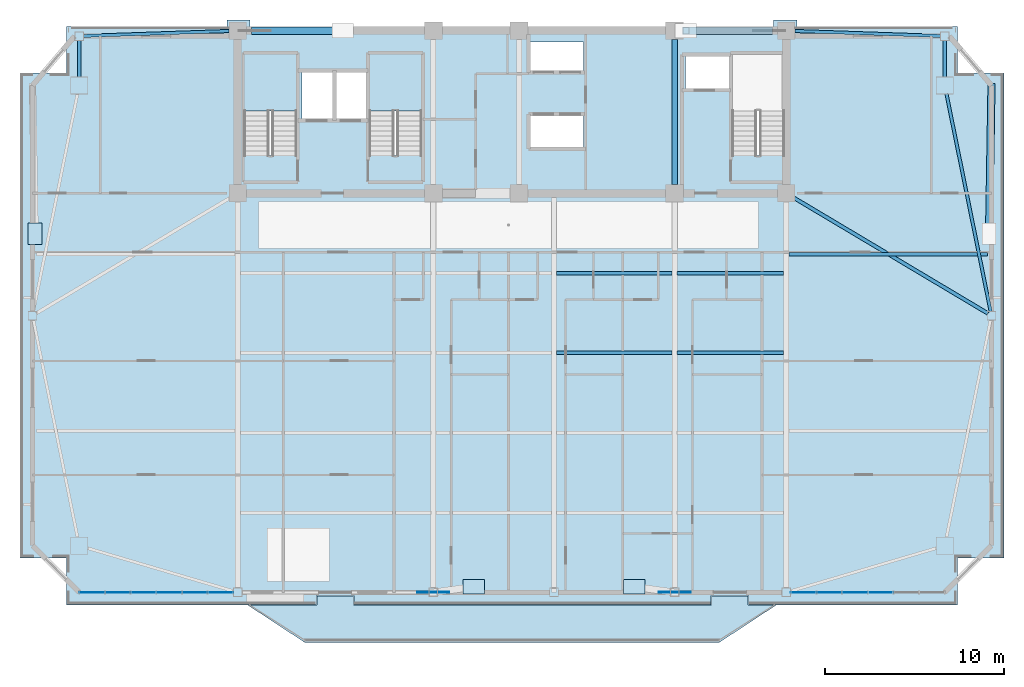
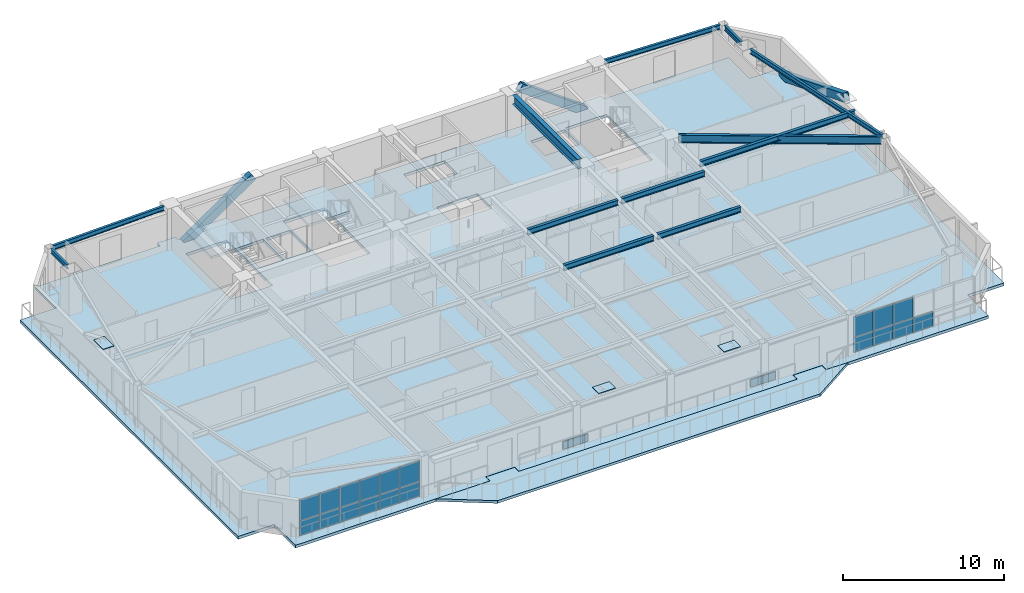
# One storey, part 7 of 17: 24 plates, 12 beams, 4 slabs, 3 members, 4 elements without a shape of their own.
"""IFC4 building model written with IfcOpenShell, lengths in metres."""

from ifc_helpers import new_model, si_unit, direction, frame, origin, origin_2d, place, context, subcontext, project, spatial, polyline, rectangle, hollow_rectangle, i_section, outline, extrude, source, transform, mapped, material, layer, layer_set, material_profile, profile_set, type_object, element, aggregate, save


model = new_model("IFC4")

# Units and contexts
model_context = context("Model", 3, precision=1e-05, world=origin(), true_north=direction((0.0, 1.0)))
body_context = subcontext(model_context, "Body", "Model", "MODEL_VIEW")
ifc_project = project(units=[si_unit("LENGTHUNIT", "METRE"), si_unit("AREAUNIT", "SQUARE_METRE"), si_unit("VOLUMEUNIT", "CUBIC_METRE"), si_unit("PLANEANGLEUNIT", "RADIAN"), si_unit("MASSUNIT", "GRAM", prefix="KILO")], contexts=[model_context])

# Site, building, storey
site_placement = place(None, origin())
site = spatial("IfcSite", under=ifc_project, at=site_placement, CompositionType="ELEMENT")
building_placement = place(site_placement, origin())
building = spatial("IfcBuilding", under=site, at=building_placement, Name="Giltprow Tower", CompositionType="ELEMENT")
storey_placement = place(building_placement, frame((0.0, 0.0, 248.5)))
storey = spatial("IfcBuildingStorey", under=building, at=storey_placement, Name="L63", CompositionType="ELEMENT", Elevation=248.5)

# Beams
ifc_material_1 = material(Name="Structural steel Q355B", Category="steel")
ifc_material_profile_1 = material_profile(ifc_material_1, i_section(OverallWidth=0.300048828125, OverallDepth=0.699951171875, WebThickness=0.012939453125, FlangeThickness=0.02392578125, at=origin_2d()), Name="HN 700x300x13x24")
ifc_profile_set_1 = profile_set([ifc_material_profile_1], Name="Structural steel Q355B")
beam_type_1 = type_object("IfcBeamType", Name="BM-GIRD-HN700", PredefinedType="BEAM", material=ifc_profile_set_1)
shared_shape_1 = source(origin(), body_context, "Body", "SweptSolid", [
    extrude(i_section(OverallWidth=0.300048828125, OverallDepth=0.699951171875, WebThickness=0.012939453125, FlangeThickness=0.02392578125, at=origin_2d()), origin(), (0.0, 0.0, 1.0), 8.1298828125),
])
beam_1_placement = place(storey_placement, frame((44.300048828125, 37.93505859375, 2.8349609375), z_axis=(0.0, 1.0, 0.0), x_axis=(-1.0, 0.0, 0.0)))
element("IfcBeam", 1, at=beam_1_placement, inside=storey, type_object=beam_type_1, Name="L63 Core Tie Girder M3", PredefinedType="BEAM", context=body_context, shape_type="MappedRepresentation", body=[
    mapped(shared_shape_1, transform((0.0, 0.0, 0.0), x_axis=(1.0, 0.0, 0.0), y_axis=(0.0, 1.0, 0.0), z_axis=(0.0, 0.0, 1.0), scale=1.0)),
])
ifc_material_profile_2 = material_profile(ifc_material_1, i_section(OverallWidth=0.199951171875, OverallDepth=0.39990234375, WebThickness=0.008056640625, FlangeThickness=0.012939453125, at=origin_2d()), Name="HN 400x200x8x13")
ifc_profile_set_2 = profile_set([ifc_material_profile_2], Name="Structural steel Q355B")
beam_type_2 = type_object("IfcBeamType", Name="BM-JOIST-HN400", PredefinedType="JOIST", material=ifc_profile_set_2)
shared_shape_2 = source(origin(), body_context, "Body", "SweptSolid", [
    extrude(i_section(OverallWidth=0.199951171875, OverallDepth=0.39990234375, WebThickness=0.008056640625, FlangeThickness=0.012939453125, at=origin_2d()), origin(), (0.0, 0.0, 1.0), 6.4599609375),
])
for number, where, z_axis, x_axis, name in (
    (2, (37.695068359375, 28.514892578125, 2.985107421875), (1.0, 0.0, 0.0), (0.0, 1.0, 0.0), "L63 Composite Floor Joist 3-3"),
    (3, (37.695068359375, 32.98291015625, 2.985107421875), (1.0, 0.0, 0.0), (0.0, 1.0, 0.0), "L63 Composite Floor Joist 4-3"),
):
    element("IfcBeam", number, at=place(storey_placement, frame(where, z_axis=z_axis, x_axis=x_axis)), inside=storey, type_object=beam_type_2, Name=name, PredefinedType="JOIST", context=body_context, shape_type="MappedRepresentation", body=[
        mapped(shared_shape_2, transform((0.0, 0.0, 0.0), x_axis=(1.0, 0.0, 0.0), y_axis=(0.0, 1.0, 0.0), z_axis=(0.0, 0.0, 1.0), scale=1.0)),
    ])
shared_shape_3 = source(origin(), body_context, "Body", "SweptSolid", [
    extrude(i_section(OverallWidth=0.199951171875, OverallDepth=0.39990234375, WebThickness=0.008056640625, FlangeThickness=0.012939453125, at=origin_2d()), origin(), (0.0, 0.0, 1.0), 5.9599609375),
])
for number, where, z_axis, x_axis, name in (
    (4, (44.445068359375, 28.514892578125, 2.985107421875), (1.0, 0.0, 0.0), (0.0, 1.0, 0.0), "L63 Composite Floor Joist 3-4"),
    (5, (44.445068359375, 32.98291015625, 2.985107421875), (1.0, 0.0, 0.0), (0.0, 1.0, 0.0), "L63 Composite Floor Joist 4-4"),
):
    element("IfcBeam", number, at=place(storey_placement, frame(where, z_axis=z_axis, x_axis=x_axis)), inside=storey, type_object=beam_type_2, Name=name, PredefinedType="JOIST", context=body_context, shape_type="MappedRepresentation", body=[
        mapped(shared_shape_3, transform((0.0, 0.0, 0.0), x_axis=(1.0, 0.0, 0.0), y_axis=(0.0, 1.0, 0.0), z_axis=(0.0, 0.0, 1.0), scale=1.0)),
    ])
ifc_material_profile_3 = material_profile(ifc_material_1, i_section(OverallWidth=0.175048828125, OverallDepth=0.35009765625, WebThickness=0.007080078125, FlangeThickness=0.010986328125, at=origin_2d()), Name="HN 350x175x7x11")
ifc_profile_set_3 = profile_set([ifc_material_profile_3], Name="Structural steel Q355B")
beam_type_3 = type_object("IfcBeamType", Name="BM-SPAN-HN350", PredefinedType="SPANDREL", material=ifc_profile_set_3)
shared_shape_4 = source(origin(), body_context, "Body", "SweptSolid", [
    extrude(i_section(OverallWidth=0.175048828125, OverallDepth=0.35009765625, WebThickness=0.007080078125, FlangeThickness=0.010986328125, at=origin_2d()), origin(), (0.0, 0.0, 1.0), 12.42138671875),
])
beam_2_placement = place(storey_placement, frame((61.989990234375, 30.8369140625, 3.010009765625), z_axis=(-0.198927494824, 0.980014210001, 0.0), x_axis=(-0.980014210001, -0.198927494824, 0.0)))
element("IfcBeam", 6, at=beam_2_placement, inside=storey, type_object=beam_type_3, Name="L63 Perimeter Spandrel Beam E_MID-MC_NE", PredefinedType="SPANDREL", context=body_context, shape_type="MappedRepresentation", body=[
    mapped(shared_shape_4, transform((0.0, 0.0, 0.0), x_axis=(1.0, 0.0, 0.0), y_axis=(0.0, 1.0, 0.0), z_axis=(0.0, 0.0, 1.0), scale=1.0)),
])
shared_shape_5 = source(origin(), body_context, "Body", "SweptSolid", [
    extrude(i_section(OverallWidth=0.175048828125, OverallDepth=0.35009765625, WebThickness=0.007080078125, FlangeThickness=0.010986328125, at=origin_2d()), origin(), (0.0, 0.0, 1.0), 2.044921875),
])
for number, where, z_axis, x_axis, name in (
    (7, (59.422119140625, 43.969970703125, 3.010009765625), (0.0, 1.0, 0.0), (-1.0, 0.0, 0.0), "L63 Perimeter Spandrel Beam MC_NE-N_E"),
    (8, (10.97900390625, 46.014892578125, 3.010009765625), (0.0, -1.0, 0.0), (1.0, 0.0, 0.0), "L63 Perimeter Spandrel Beam N_W-MC_NW"),
):
    element("IfcBeam", number, at=place(storey_placement, frame(where, z_axis=z_axis, x_axis=x_axis)), inside=storey, type_object=beam_type_3, Name=name, PredefinedType="SPANDREL", context=body_context, shape_type="MappedRepresentation", body=[
        mapped(shared_shape_5, transform((0.0, 0.0, 0.0), x_axis=(1.0, 0.0, 0.0), y_axis=(0.0, 1.0, 0.0), z_axis=(0.0, 0.0, 1.0), scale=1.0)),
    ])
shared_shape_6 = source(origin(), body_context, "Body", "SweptSolid", [
    extrude(i_section(OverallWidth=0.175048828125, OverallDepth=0.35009765625, WebThickness=0.007080078125, FlangeThickness=0.010986328125, at=origin_2d()), origin(), (0.0, 0.0, 1.0), 8.155517578125),
])
beam_3_placement = place(storey_placement, frame((11.214111328125, 46.258056640625, 3.010009765625), z_axis=(0.999427698127, 0.033827152066, 0.0), x_axis=(-0.033827152066, 0.999427698127, 0.0)))
element("IfcBeam", 9, at=beam_3_placement, inside=storey, type_object=beam_type_3, Name="L63 North Wing Spandrel W", PredefinedType="SPANDREL", context=body_context, shape_type="MappedRepresentation", body=[
    mapped(shared_shape_6, transform((0.0, 0.0, 0.0), x_axis=(1.0, 0.0, 0.0), y_axis=(0.0, 1.0, 0.0), z_axis=(0.0, 0.0, 1.0), scale=1.0)),
])
shared_shape_7 = source(origin(), body_context, "Body", "SweptSolid", [
    extrude(i_section(OverallWidth=0.175048828125, OverallDepth=0.35009765625, WebThickness=0.007080078125, FlangeThickness=0.010986328125, at=origin_2d()), origin(), (0.0, 0.0, 1.0), 8.15673828125),
])
beam_4_placement = place(storey_placement, frame((51.034912109375, 46.533935546875, 3.010009765625), z_axis=(0.999427869361, -0.033822092551, 0.0), x_axis=(0.033822092551, 0.999427869361, 0.0)))
element("IfcBeam", 10, at=beam_4_placement, inside=storey, type_object=beam_type_3, Name="L63 North Wing Spandrel E", PredefinedType="SPANDREL", context=body_context, shape_type="MappedRepresentation", body=[
    mapped(shared_shape_7, transform((0.0, 0.0, 0.0), x_axis=(1.0, 0.0, 0.0), y_axis=(0.0, 1.0, 0.0), z_axis=(0.0, 0.0, 1.0), scale=1.0)),
])
ifc_material_profile_4 = material_profile(ifc_material_1, i_section(OverallWidth=0.199951171875, OverallDepth=0.60009765625, WebThickness=0.010986328125, FlangeThickness=0.01708984375, at=origin_2d()), Name="HN 600x200x11x17")
ifc_profile_set_4 = profile_set([ifc_material_profile_4], Name="Structural steel Q355B")
beam_type_4 = type_object("IfcBeamType", Name="BM-GIRD-HN600", PredefinedType="BEAM", material=ifc_profile_set_4)
shared_shape_8 = source(origin(), body_context, "Body", "SweptSolid", [
    extrude(i_section(OverallWidth=0.199951171875, OverallDepth=0.60009765625, WebThickness=0.010986328125, FlangeThickness=0.01708984375, at=origin_2d()), origin(), (0.0, 0.0, 1.0), 12.650390625),
])
beam_5_placement = place(storey_placement, frame((61.8349609375, 30.72705078125, 2.885009765625), z_axis=(-0.859089447214, 0.511825479716, 0.0), x_axis=(-0.511825479716, -0.859089447214, 0.0)))
element("IfcBeam", 11, at=beam_5_placement, inside=storey, type_object=beam_type_4, Name="L63 East Wing Primary Girder", PredefinedType="BEAM", context=body_context, shape_type="MappedRepresentation", body=[
    mapped(shared_shape_8, transform((0.0, 0.0, 0.0), x_axis=(1.0, 0.0, 0.0), y_axis=(0.0, 1.0, 0.0), z_axis=(0.0, 0.0, 1.0), scale=1.0)),
])
shared_shape_9 = source(origin(), body_context, "Body", "SweptSolid", [
    extrude(i_section(OverallWidth=0.199951171875, OverallDepth=0.39990234375, WebThickness=0.008056640625, FlangeThickness=0.012939453125, at=origin_2d()), origin(), (0.0, 0.0, 1.0), 11.121826171875),
])
beam_6_placement = place(storey_placement, frame((50.695068359375, 34.029052734375, 2.985107421875), z_axis=(1.0, 0.0, 0.0), x_axis=(0.0, 1.0, 0.0)))
element("IfcBeam", 12, at=beam_6_placement, inside=storey, type_object=beam_type_2, Name="L63 East Wing Floor Joist 2", PredefinedType="JOIST", context=body_context, shape_type="MappedRepresentation", body=[
    mapped(shared_shape_9, transform((0.0, 0.0, 0.0), x_axis=(1.0, 0.0, 0.0), y_axis=(0.0, 1.0, 0.0), z_axis=(0.0, 0.0, 1.0), scale=1.0)),
])

# Members
ifc_material_2 = material(Name="Structural steel Q420GJC", Category="steel")
ifc_material_profile_5 = material_profile(ifc_material_2, hollow_rectangle(XDim=0.39990234375, YDim=0.60009765625, WallThickness=0.028076171875, at=origin_2d()), Name="RHS 600x400x28")
ifc_profile_set_5 = profile_set([ifc_material_profile_5], Name="Structural steel Q420GJC")
member_type = type_object("IfcMemberType", Name="MBR-MEGA-RHS600", PredefinedType="BRACE", material=ifc_profile_set_5)
shared_shape_10 = source(origin(), body_context, "Body", "SweptSolid", [
    extrude(hollow_rectangle(XDim=0.39990234375, YDim=0.60009765625, WallThickness=0.028076171875, at=origin_2d()), origin(), (0.0, 0.0, 1.0), 5.990966796875),
])
member_1_placement = place(storey_placement, frame((20.800048828125, 46.550048828125, -0.139892578125), z_axis=(0.823374311816, 0.0, 0.56749867193), x_axis=(0.0, 1.0, 0.0)))
element("IfcMember", 13, at=member_1_placement, inside=storey, type_object=member_type, Name="L63 Chevron Mega-Brace N-L", PredefinedType="BRACE", context=body_context, shape_type="MappedRepresentation", body=[
    mapped(shared_shape_10, transform((0.0, 0.0, 0.0), x_axis=(1.0, 0.0, 0.0), y_axis=(0.0, 1.0, 0.0), z_axis=(0.0, 0.0, 1.0), scale=1.0)),
])
shared_shape_11 = source(origin(), body_context, "Body", "SweptSolid", [
    extrude(hollow_rectangle(XDim=0.39990234375, YDim=0.60009765625, WallThickness=0.028076171875, at=origin_2d()), origin(), (0.0, 0.0, 1.0), 5.774169921875),
])
member_2_placement = place(storey_placement, frame((49.60009765625, 46.550048828125, -0.139892578125), z_axis=(-0.808264093398, 0.0, 0.588820138348), x_axis=(0.0, -1.0, 0.0)))
element("IfcMember", 14, at=member_2_placement, inside=storey, type_object=member_type, Name="L63 Chevron Mega-Brace N-R", PredefinedType="BRACE", context=body_context, shape_type="MappedRepresentation", body=[
    mapped(shared_shape_11, transform((0.0, 0.0, 0.0), x_axis=(1.0, 0.0, 0.0), y_axis=(0.0, 1.0, 0.0), z_axis=(0.0, 0.0, 1.0), scale=1.0)),
])
shared_shape_12 = source(origin(), body_context, "Body", "SweptSolid", [
    extrude(hollow_rectangle(XDim=0.39990234375, YDim=0.60009765625, WallThickness=0.028076171875, at=origin_2d()), origin(), (0.0, 0.0, 1.0), 8.961181640625),
])
member_3_placement = place(storey_placement, frame((62.037109375, 43.485107421875, 0.0), z_axis=(-0.015420203885, -0.925103256387, 0.379402401592), x_axis=(0.999861107329, -0.016666314841, 0.0)))
element("IfcMember", 15, at=member_3_placement, inside=storey, type_object=member_type, Name="L63 Chevron Mega-Brace E-D", PredefinedType="BRACE", context=body_context, shape_type="MappedRepresentation", body=[
    mapped(shared_shape_12, transform((0.0, 0.0, 0.0), x_axis=(1.0, 0.0, 0.0), y_axis=(0.0, 1.0, 0.0), z_axis=(0.0, 0.0, 1.0), scale=1.0)),
])

# Slabs
ifc_material_3 = material(Name="Concrete C40", Category="concrete")
ifc_layer_1 = layer(ifc_material_3, 0.199951171875, Name="Concrete C40")
ifc_layer_set_1 = layer_set([ifc_layer_1], Name="Concrete C40")
slab_type_1 = type_object("IfcSlabType", Name="SLB-BALC-BRONZE-200", PredefinedType="FLOOR", material=ifc_layer_set_1)
slab_1_placement = place(storey_placement, frame((0.0, 0.0, -0.199951171875)))
element("IfcSlab", 16, at=slab_1_placement, inside=storey, type_object=slab_type_1, Name="L63 Bronze Prow Waterfront Balcony Slab", PredefinedType="FLOOR", context=body_context, shape_type="SweptSolid", body=[
    extrude(outline(polyline([(50.0, 14.4130859375), (46.800048828125, 12.31298828125), (23.60009765625, 12.31298828125), (20.39990234375, 14.4130859375), (24.280029296875, 14.4130859375), (24.280029296875, 14.9130859375), (26.320068359375, 14.9130859375), (26.320068359375, 14.4130859375), (46.3798828125, 14.4130859375), (46.3798828125, 14.9130859375), (48.419921875, 14.9130859375), (48.419921875, 14.4130859375), (50.0, 14.4130859375)])), origin(), (0.0, 0.0, 1.0), 0.199951171875),
])
ifc_layer_2 = layer(ifc_material_3, 0.215087890625, Name="Concrete C40")
ifc_layer_set_2 = layer_set([ifc_layer_2], Name="Concrete C40")
slab_type_2 = type_object("IfcSlabType", Name="SLB-RES-215", PredefinedType="FLOOR", material=ifc_layer_set_2)
slab_2_placement = place(storey_placement, frame((0.0, 0.0, -0.215087890625)))
element("IfcSlab", 17, at=slab_2_placement, inside=storey, type_object=slab_type_2, Name="L63 Structural Composite Floor Slab", PredefinedType="FLOOR", context=body_context, shape_type="SweptSolid", body=[
    extrude(outline(polyline([(62.737060546875, 44.18408203125), (62.737060546875, 17.028076171875), (60.1220703125, 17.028076171875), (60.1220703125, 14.4130859375), (48.449951171875, 14.4130859375), (48.449951171875, 14.93310546875), (46.35009765625, 14.93310546875), (46.35009765625, 14.4130859375), (26.35009765625, 14.4130859375), (26.35009765625, 14.93310546875), (24.25, 14.93310546875), (24.25, 14.4130859375), (10.279052734375, 14.4130859375), (10.279052734375, 17.028076171875), (7.6640625, 17.028076171875), (7.6640625, 44.18408203125), (10.279052734375, 44.18408203125), (10.279052734375, 46.800048828125), (19.25, 46.800048828125), (19.25, 47.14990234375), (20.550048828125, 47.14990234375), (20.550048828125, 46.800048828125), (49.85009765625, 46.800048828125), (49.85009765625, 47.14990234375), (51.14990234375, 47.14990234375), (51.14990234375, 46.800048828125), (60.1220703125, 46.800048828125), (60.1220703125, 44.18408203125), (62.737060546875, 44.18408203125)]), holes=[polyline([(39.18994140625, 41.800048828125), (36.239990234375, 41.800048828125), (36.239990234375, 40.0), (39.18994140625, 40.0), (39.18994140625, 41.800048828125)]), polyline([(23.159912109375, 39.570068359375), (23.159912109375, 45.25), (20.199951171875, 45.25), (20.199951171875, 39.570068359375), (23.159912109375, 39.570068359375)]), polyline([(30.159912109375, 39.570068359375), (30.159912109375, 45.25), (27.199951171875, 45.25), (27.199951171875, 39.570068359375), (30.159912109375, 39.570068359375)]), polyline([(50.4599609375, 45.25), (47.5, 45.25), (47.5, 39.570068359375), (50.4599609375, 39.570068359375), (50.4599609375, 45.25)]), polyline([(25.169921875, 44.199951171875), (23.449951171875, 44.199951171875), (23.449951171875, 41.60009765625), (25.169921875, 41.60009765625), (25.169921875, 44.199951171875)]), polyline([(27.10009765625, 44.199951171875), (25.35009765625, 44.199951171875), (25.35009765625, 41.60009765625), (27.10009765625, 41.60009765625), (27.10009765625, 44.199951171875)]), polyline([(47.3798828125, 43.300048828125), (47.3798828125, 45.10009765625), (44.919921875, 45.10009765625), (44.919921875, 43.300048828125), (47.3798828125, 43.300048828125)]), polyline([(39.18994140625, 44.300048828125), (39.18994140625, 45.919921875), (36.239990234375, 45.919921875), (36.239990234375, 44.300048828125), (39.18994140625, 44.300048828125)])]), origin(), (0.0, 0.0, 1.0), 0.215087890625),
])

# Stair, slab
stair_type_1 = type_object("IfcStairType", Name="STR-ST-1", PredefinedType="HALF_TURN_STAIR", material=ifc_material_3)
stair_1_placement = place(storey_placement, origin())
stair_1 = element("IfcStair", 18, at=stair_1_placement, inside=storey, type_object=stair_type_1, Name="L63 Core Exit Stair ST-1", PredefinedType="HALF_TURN_STAIR")
ifc_layer_3 = layer(ifc_material_3, 0.179931640625, Name="Concrete C40")
ifc_layer_set_3 = layer_set([ifc_layer_3], Name="Concrete C40")
slab_type_3 = type_object("IfcSlabType", Name="SLD-ST-1", PredefinedType="LANDING", material=ifc_layer_set_3)
slab_3_placement = place(storey_placement, frame((0.0, 0.0, 1.52001953125)))
slab_3 = element("IfcSlab", 19, at=slab_3_placement, type_object=slab_type_3, Name="ST-1 landing 1", PredefinedType="LANDING", context=body_context, shape_type="SweptSolid", body=[
    extrude(outline(polyline([(23.159912109375, 42.070068359375), (23.159912109375, 45.25), (20.199951171875, 45.25), (20.199951171875, 42.070068359375), (23.159912109375, 42.070068359375)])), origin(), (0.0, 0.0, 1.0), 0.179931640625),
])
aggregate(stair_1, [slab_3])

stair_type_2 = type_object("IfcStairType", Name="STR-ST-2", PredefinedType="HALF_TURN_STAIR", material=ifc_material_3)
stair_2_placement = place(storey_placement, origin())
stair_2 = element("IfcStair", 20, at=stair_2_placement, inside=storey, type_object=stair_type_2, Name="L63 Core Exit Stair ST-2", PredefinedType="HALF_TURN_STAIR")
ifc_layer_4 = layer(ifc_material_3, 0.18798828125, Name="Concrete C40")
ifc_layer_set_4 = layer_set([ifc_layer_4], Name="Concrete C40")
slab_type_4 = type_object("IfcSlabType", Name="SLD-ST-2", PredefinedType="LANDING", material=ifc_layer_set_4)
slab_4_placement = place(storey_placement, frame((0.0, 0.0, 1.511962890625)))
slab_4 = element("IfcSlab", 21, at=slab_4_placement, type_object=slab_type_4, Name="ST-2 landing 1", PredefinedType="LANDING", context=body_context, shape_type="SweptSolid", body=[
    extrude(outline(polyline([(30.159912109375, 42.070068359375), (30.159912109375, 45.25), (27.199951171875, 45.25), (27.199951171875, 42.070068359375), (30.159912109375, 42.070068359375)])), origin(), (0.0, 0.0, 1.0), 0.18798828125),
])
aggregate(stair_2, [slab_4])

# Plates
plate_type_1 = type_object("IfcPlateType", Name="PLT-NODE-MBN1", PredefinedType="USERDEFINED", material=ifc_material_2)
shared_shape_13 = source(origin(), body_context, "Body", "SweptSolid", [
    extrude(rectangle(XDim=1.800048828125, YDim=0.050048828125, at=origin_2d()), origin(), (0.0, 0.0, 1.0), 1.14990234375),
])
for number, where, z_axis, x_axis, name in (
    (22, (30.800048828125, 15.113037109375, -0.574951171875), (0.0, 0.0, 1.0), (1.0, 0.0, 0.0), "Mega-Brace Node L63-S-LA"),
    (23, (44.300048828125, 15.113037109375, -0.574951171875), (0.0, 0.0, 1.0), (1.0, 0.0, 0.0), "Mega-Brace Node L63-S-RA"),
):
    element("IfcPlate", number, at=place(storey_placement, frame(where, z_axis=z_axis, x_axis=x_axis)), inside=storey, type_object=plate_type_1, Name=name, ObjectType="GUSSET", PredefinedType="USERDEFINED", context=body_context, shape_type="MappedRepresentation", body=[
        mapped(shared_shape_13, transform((0.0, 0.0, 0.0), x_axis=(1.0, 0.0, 0.0), y_axis=(0.0, 1.0, 0.0), z_axis=(0.0, 0.0, 1.0), scale=1.0)),
    ])
plate_type_2 = type_object("IfcPlateType", Name="PLT-CAP-SEAL", PredefinedType="USERDEFINED", material=ifc_material_2)
shared_shape_14 = source(origin(), body_context, "Body", "SweptSolid", [
    extrude(rectangle(XDim=1.199951171875, YDim=0.800048828125, at=origin_2d()), origin(), (0.0, 0.0, 1.0), 0.034912109375),
])
for number, where, z_axis, x_axis, name in (
    (24, (33.050048828125, 15.424072265625, 3.38232421875), (0.0, 0.0, 1.0), (1.0, 0.0, 0.0), "Mega-Brace Node L63-S-LB"),
    (25, (42.050048828125, 15.424072265625, 3.38232421875), (0.0, 0.0, 1.0), (1.0, 0.0, 0.0), "Mega-Brace Node L63-S-RB"),
    (26, (8.501953125, 35.195068359375, 3.38232421875), (0.0, 0.0, 1.0), (0.0, 1.0, 0.0), "Mega-Brace Node L63-W-DB"),
):
    element("IfcPlate", number, at=place(storey_placement, frame(where, z_axis=z_axis, x_axis=x_axis)), inside=storey, type_object=plate_type_2, Name=name, ObjectType="SPLICE", PredefinedType="USERDEFINED", context=body_context, shape_type="MappedRepresentation", body=[
        mapped(shared_shape_14, transform((0.0, 0.0, 0.0), x_axis=(1.0, 0.0, 0.0), y_axis=(0.0, 1.0, 0.0), z_axis=(0.0, 0.0, 1.0), scale=1.0)),
    ])

# Curtain wall, plates
ifc_material_4 = material(Name="Anodized bronze", Category="metal")
ifc_layer_5 = layer(ifc_material_4, 0.179931640625, Name="Anodized bronze")
ifc_layer_set_5 = layer_set([ifc_layer_5], Name="Anodized bronze")
curtain_wall_type = type_object("IfcCurtainWallType", Name="CW-RES-SKY", PredefinedType="NOTDEFINED", material=ifc_layer_set_5)
curtain_wall_1_placement = place(storey_placement, origin())
curtain_wall_1 = element("IfcCurtainWall", 27, at=curtain_wall_1_placement, inside=storey, type_object=curtain_wall_type, Name="L63 South Recessed Curtain Wall 1", PredefinedType="NOTDEFINED")
ifc_material_5 = material(Name="Insulated glass", Category="glass")
plate_type_3 = type_object("IfcPlateType", Name="CW-PANEL-IGU-28", PredefinedType="CURTAIN_PANEL", material=ifc_material_5)
shared_shape_15 = source(origin(), body_context, "Body", "SweptSolid", [
    extrude(rectangle(XDim=1.406982421875, YDim=0.028076171875, at=origin_2d()), origin(), (0.0, 0.0, 1.0), 1.114013671875),
])
plate_1_placement = place(storey_placement, frame((11.697021484375, 15.113037109375, 0.05419921875), z_axis=(0.0, 0.0, 1.0), x_axis=(1.0, 0.0, 0.0)))
plate_1 = element("IfcPlate", 28, at=plate_1_placement, type_object=plate_type_3, Name="L63 South Recessed Curtain Wall 1 Glazing Panel 1-1", PredefinedType="CURTAIN_PANEL", context=body_context, shape_type="MappedRepresentation", body=[
    mapped(shared_shape_15, transform((0.0, 0.0, 0.0), x_axis=(1.0, 0.0, 0.0), y_axis=(0.0, 1.0, 0.0), z_axis=(0.0, 0.0, 1.0), scale=1.0)),
])
plate_2_placement = place(storey_placement, frame((13.134033203125, 15.113037109375, 0.05419921875), z_axis=(0.0, 0.0, 1.0), x_axis=(1.0, 0.0, 0.0)))
plate_2 = element("IfcPlate", 29, at=plate_2_placement, type_object=plate_type_3, Name="L63 South Recessed Curtain Wall 1 Glazing Panel 2-1", PredefinedType="CURTAIN_PANEL", context=body_context, shape_type="MappedRepresentation", body=[
    mapped(shared_shape_15, transform((0.0, 0.0, 0.0), x_axis=(1.0, 0.0, 0.0), y_axis=(0.0, 1.0, 0.0), z_axis=(0.0, 0.0, 1.0), scale=1.0)),
])
plate_3_placement = place(storey_placement, frame((14.571044921875, 15.113037109375, 0.05419921875), z_axis=(0.0, 0.0, 1.0), x_axis=(1.0, 0.0, 0.0)))
plate_3 = element("IfcPlate", 30, at=plate_3_placement, type_object=plate_type_3, Name="L63 South Recessed Curtain Wall 1 Glazing Panel 3-1", PredefinedType="CURTAIN_PANEL", context=body_context, shape_type="MappedRepresentation", body=[
    mapped(shared_shape_15, transform((0.0, 0.0, 0.0), x_axis=(1.0, 0.0, 0.0), y_axis=(0.0, 1.0, 0.0), z_axis=(0.0, 0.0, 1.0), scale=1.0)),
])
plate_4_placement = place(storey_placement, frame((16.008056640625, 15.113037109375, 0.05419921875), z_axis=(0.0, 0.0, 1.0), x_axis=(1.0, 0.0, 0.0)))
plate_4 = element("IfcPlate", 31, at=plate_4_placement, type_object=plate_type_3, Name="L63 South Recessed Curtain Wall 1 Glazing Panel 4-1", PredefinedType="CURTAIN_PANEL", context=body_context, shape_type="MappedRepresentation", body=[
    mapped(shared_shape_15, transform((0.0, 0.0, 0.0), x_axis=(1.0, 0.0, 0.0), y_axis=(0.0, 1.0, 0.0), z_axis=(0.0, 0.0, 1.0), scale=1.0)),
])
plate_5_placement = place(storey_placement, frame((17.445068359375, 15.113037109375, 0.05419921875), z_axis=(0.0, 0.0, 1.0), x_axis=(1.0, 0.0, 0.0)))
plate_5 = element("IfcPlate", 32, at=plate_5_placement, type_object=plate_type_3, Name="L63 South Recessed Curtain Wall 1 Glazing Panel 5-1", PredefinedType="CURTAIN_PANEL", context=body_context, shape_type="MappedRepresentation", body=[
    mapped(shared_shape_15, transform((0.0, 0.0, 0.0), x_axis=(1.0, 0.0, 0.0), y_axis=(0.0, 1.0, 0.0), z_axis=(0.0, 0.0, 1.0), scale=1.0)),
])
plate_6_placement = place(storey_placement, frame((18.882080078125, 15.113037109375, 0.05419921875), z_axis=(0.0, 0.0, 1.0), x_axis=(1.0, 0.0, 0.0)))
plate_6 = element("IfcPlate", 33, at=plate_6_placement, type_object=plate_type_3, Name="L63 South Recessed Curtain Wall 1 Glazing Panel 6-1", PredefinedType="CURTAIN_PANEL", context=body_context, shape_type="MappedRepresentation", body=[
    mapped(shared_shape_15, transform((0.0, 0.0, 0.0), x_axis=(1.0, 0.0, 0.0), y_axis=(0.0, 1.0, 0.0), z_axis=(0.0, 0.0, 1.0), scale=1.0)),
])

curtain_wall_2_placement = place(storey_placement, origin())
curtain_wall_2 = element("IfcCurtainWall", 34, at=curtain_wall_2_placement, inside=storey, type_object=curtain_wall_type, Name="L63 South Recessed Curtain Wall 6", PredefinedType="NOTDEFINED")
plate_7_placement = place(storey_placement, frame((51.51806640625, 15.113037109375, 0.05419921875), z_axis=(0.0, 0.0, 1.0), x_axis=(1.0, 0.0, 0.0)))
plate_7 = element("IfcPlate", 35, at=plate_7_placement, type_object=plate_type_3, Name="L63 South Recessed Curtain Wall 6 Glazing Panel 1-1", PredefinedType="CURTAIN_PANEL", context=body_context, shape_type="MappedRepresentation", body=[
    mapped(shared_shape_15, transform((0.0, 0.0, 0.0), x_axis=(1.0, 0.0, 0.0), y_axis=(0.0, 1.0, 0.0), z_axis=(0.0, 0.0, 1.0), scale=1.0)),
])
plate_8_placement = place(storey_placement, frame((52.9560546875, 15.113037109375, 0.05419921875), z_axis=(0.0, 0.0, 1.0), x_axis=(1.0, 0.0, 0.0)))
plate_8 = element("IfcPlate", 36, at=plate_8_placement, type_object=plate_type_3, Name="L63 South Recessed Curtain Wall 6 Glazing Panel 2-1", PredefinedType="CURTAIN_PANEL", context=body_context, shape_type="MappedRepresentation", body=[
    mapped(shared_shape_15, transform((0.0, 0.0, 0.0), x_axis=(1.0, 0.0, 0.0), y_axis=(0.0, 1.0, 0.0), z_axis=(0.0, 0.0, 1.0), scale=1.0)),
])
plate_9_placement = place(storey_placement, frame((54.39208984375, 15.113037109375, 0.05419921875), z_axis=(0.0, 0.0, 1.0), x_axis=(1.0, 0.0, 0.0)))
plate_9 = element("IfcPlate", 37, at=plate_9_placement, type_object=plate_type_3, Name="L63 South Recessed Curtain Wall 6 Glazing Panel 3-1", PredefinedType="CURTAIN_PANEL", context=body_context, shape_type="MappedRepresentation", body=[
    mapped(shared_shape_15, transform((0.0, 0.0, 0.0), x_axis=(1.0, 0.0, 0.0), y_axis=(0.0, 1.0, 0.0), z_axis=(0.0, 0.0, 1.0), scale=1.0)),
])
plate_10_placement = place(storey_placement, frame((55.8291015625, 15.113037109375, 0.05419921875), z_axis=(0.0, 0.0, 1.0), x_axis=(1.0, 0.0, 0.0)))
plate_10 = element("IfcPlate", 38, at=plate_10_placement, type_object=plate_type_3, Name="L63 South Recessed Curtain Wall 6 Glazing Panel 4-1", PredefinedType="CURTAIN_PANEL", context=body_context, shape_type="MappedRepresentation", body=[
    mapped(shared_shape_15, transform((0.0, 0.0, 0.0), x_axis=(1.0, 0.0, 0.0), y_axis=(0.0, 1.0, 0.0), z_axis=(0.0, 0.0, 1.0), scale=1.0)),
])

# Plate
shared_shape_16 = source(origin(), body_context, "Body", "SweptSolid", [
    extrude(rectangle(XDim=1.406982421875, YDim=0.028076171875, at=origin_2d()), origin(), (0.0, 0.0, 1.0), 1.56494140625),
])
plate_11_placement = place(storey_placement, frame((11.697021484375, 15.113037109375, 1.195556640625), z_axis=(0.0, 0.0, 1.0), x_axis=(1.0, 0.0, 0.0)))
plate_11 = element("IfcPlate", 39, at=plate_11_placement, type_object=plate_type_3, Name="L63 South Recessed Curtain Wall 1 Glazing Panel 1-2", PredefinedType="CURTAIN_PANEL", context=body_context, shape_type="MappedRepresentation", body=[
    mapped(shared_shape_16, transform((0.0, 0.0, 0.0), x_axis=(1.0, 0.0, 0.0), y_axis=(0.0, 1.0, 0.0), z_axis=(0.0, 0.0, 1.0), scale=1.0)),
])

plate_12_placement = place(storey_placement, frame((13.134033203125, 15.113037109375, 1.195556640625), z_axis=(0.0, 0.0, 1.0), x_axis=(1.0, 0.0, 0.0)))
plate_12 = element("IfcPlate", 40, at=plate_12_placement, type_object=plate_type_3, Name="L63 South Recessed Curtain Wall 1 Glazing Panel 2-2", PredefinedType="CURTAIN_PANEL", context=body_context, shape_type="MappedRepresentation", body=[
    mapped(shared_shape_16, transform((0.0, 0.0, 0.0), x_axis=(1.0, 0.0, 0.0), y_axis=(0.0, 1.0, 0.0), z_axis=(0.0, 0.0, 1.0), scale=1.0)),
])

plate_13_placement = place(storey_placement, frame((14.571044921875, 15.113037109375, 1.195556640625), z_axis=(0.0, 0.0, 1.0), x_axis=(1.0, 0.0, 0.0)))
plate_13 = element("IfcPlate", 41, at=plate_13_placement, type_object=plate_type_3, Name="L63 South Recessed Curtain Wall 1 Glazing Panel 3-2", PredefinedType="CURTAIN_PANEL", context=body_context, shape_type="MappedRepresentation", body=[
    mapped(shared_shape_16, transform((0.0, 0.0, 0.0), x_axis=(1.0, 0.0, 0.0), y_axis=(0.0, 1.0, 0.0), z_axis=(0.0, 0.0, 1.0), scale=1.0)),
])

plate_14_placement = place(storey_placement, frame((16.008056640625, 15.113037109375, 1.195556640625), z_axis=(0.0, 0.0, 1.0), x_axis=(1.0, 0.0, 0.0)))
plate_14 = element("IfcPlate", 42, at=plate_14_placement, type_object=plate_type_3, Name="L63 South Recessed Curtain Wall 1 Glazing Panel 4-2", PredefinedType="CURTAIN_PANEL", context=body_context, shape_type="MappedRepresentation", body=[
    mapped(shared_shape_16, transform((0.0, 0.0, 0.0), x_axis=(1.0, 0.0, 0.0), y_axis=(0.0, 1.0, 0.0), z_axis=(0.0, 0.0, 1.0), scale=1.0)),
])

plate_15_placement = place(storey_placement, frame((17.445068359375, 15.113037109375, 1.195556640625), z_axis=(0.0, 0.0, 1.0), x_axis=(1.0, 0.0, 0.0)))
plate_15 = element("IfcPlate", 43, at=plate_15_placement, type_object=plate_type_3, Name="L63 South Recessed Curtain Wall 1 Glazing Panel 5-2", PredefinedType="CURTAIN_PANEL", context=body_context, shape_type="MappedRepresentation", body=[
    mapped(shared_shape_16, transform((0.0, 0.0, 0.0), x_axis=(1.0, 0.0, 0.0), y_axis=(0.0, 1.0, 0.0), z_axis=(0.0, 0.0, 1.0), scale=1.0)),
])

plate_16_placement = place(storey_placement, frame((18.882080078125, 15.113037109375, 1.195556640625), z_axis=(0.0, 0.0, 1.0), x_axis=(1.0, 0.0, 0.0)))
plate_16 = element("IfcPlate", 44, at=plate_16_placement, type_object=plate_type_3, Name="L63 South Recessed Curtain Wall 1 Glazing Panel 6-2", PredefinedType="CURTAIN_PANEL", context=body_context, shape_type="MappedRepresentation", body=[
    mapped(shared_shape_16, transform((0.0, 0.0, 0.0), x_axis=(1.0, 0.0, 0.0), y_axis=(0.0, 1.0, 0.0), z_axis=(0.0, 0.0, 1.0), scale=1.0)),
])

aggregate(curtain_wall_1, [plate_1, plate_11, plate_2, plate_12, plate_3, plate_13, plate_4, plate_14, plate_5, plate_15, plate_6, plate_16])

plate_17_placement = place(storey_placement, frame((51.51806640625, 15.113037109375, 1.195556640625), z_axis=(0.0, 0.0, 1.0), x_axis=(1.0, 0.0, 0.0)))
plate_17 = element("IfcPlate", 45, at=plate_17_placement, type_object=plate_type_3, Name="L63 South Recessed Curtain Wall 6 Glazing Panel 1-2", PredefinedType="CURTAIN_PANEL", context=body_context, shape_type="MappedRepresentation", body=[
    mapped(shared_shape_16, transform((0.0, 0.0, 0.0), x_axis=(1.0, 0.0, 0.0), y_axis=(0.0, 1.0, 0.0), z_axis=(0.0, 0.0, 1.0), scale=1.0)),
])

plate_18_placement = place(storey_placement, frame((52.9560546875, 15.113037109375, 1.195556640625), z_axis=(0.0, 0.0, 1.0), x_axis=(1.0, 0.0, 0.0)))
plate_18 = element("IfcPlate", 46, at=plate_18_placement, type_object=plate_type_3, Name="L63 South Recessed Curtain Wall 6 Glazing Panel 2-2", PredefinedType="CURTAIN_PANEL", context=body_context, shape_type="MappedRepresentation", body=[
    mapped(shared_shape_16, transform((0.0, 0.0, 0.0), x_axis=(1.0, 0.0, 0.0), y_axis=(0.0, 1.0, 0.0), z_axis=(0.0, 0.0, 1.0), scale=1.0)),
])

plate_19_placement = place(storey_placement, frame((54.39208984375, 15.113037109375, 1.195556640625), z_axis=(0.0, 0.0, 1.0), x_axis=(1.0, 0.0, 0.0)))
plate_19 = element("IfcPlate", 47, at=plate_19_placement, type_object=plate_type_3, Name="L63 South Recessed Curtain Wall 6 Glazing Panel 3-2", PredefinedType="CURTAIN_PANEL", context=body_context, shape_type="MappedRepresentation", body=[
    mapped(shared_shape_16, transform((0.0, 0.0, 0.0), x_axis=(1.0, 0.0, 0.0), y_axis=(0.0, 1.0, 0.0), z_axis=(0.0, 0.0, 1.0), scale=1.0)),
])

aggregate(curtain_wall_2, [plate_7, plate_17, plate_8, plate_18, plate_9, plate_19, plate_10])

save(model, "model.ifc")
